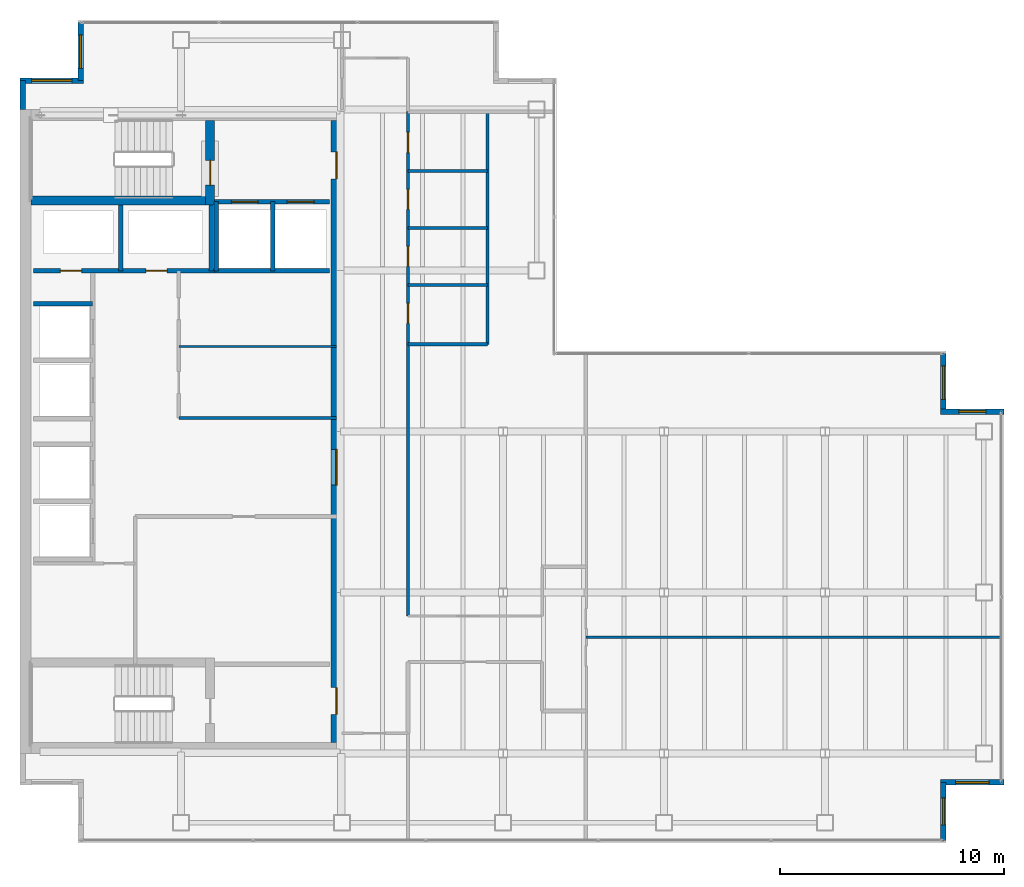
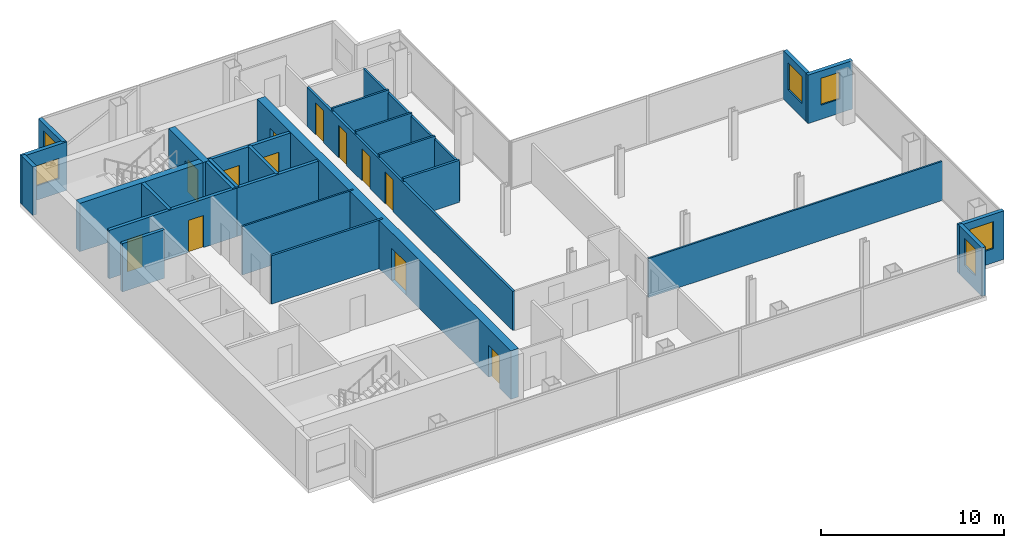
# One storey, part 21 of 23: 27 walls, 12 doors, 6 windows, 18 openings.
"""IFC4 building model written with IfcOpenShell, lengths in metres."""

import ifcopenshell
import ifcopenshell.guid

model = None  # the IFC model being written
_history = None  # IfcOwnerHistory: only IFC2X3 demands one
_inside = {}  # id of a spatial element -> (the spatial element, [elements in it])
_under = {}  # id of a project, library or spatial element -> (it, [spatial elements below it])
_declared = {}  # id of a project -> (the project, [libraries it declares])
_typed = {}  # id of a type object -> (the type object, [elements of that type])
_made_of = {}  # id of a material, layer set ... -> (it, [elements and type objects made of it])


def new_model(schema):
    """Start an empty IFC model of exactly this schema.

    Asked for "IFC4X3", IfcOpenShell would pick the latest addendum, in which some entities
    have other attributes; the version numbers below select the first issue.
    IFC2X3 requires an IfcOwnerHistory on every rooted entity: one is made here for all.
    """
    global model, _history
    if schema == "IFC4X3":
        model = ifcopenshell.file(schema_version=(4, 3, 0, 0))
    else:
        model = ifcopenshell.file(schema=schema)
    _inside.clear()
    _under.clear()
    _declared.clear()
    _typed.clear()
    _made_of.clear()
    _history = None
    if model.schema == "IFC2X3":
        org = make("IfcOrganization", Name="unknown")
        user = make(
            "IfcPersonAndOrganization",
            ThePerson=make("IfcPerson", FamilyName="unknown"),
            TheOrganization=org,
        )
        app = make(
            "IfcApplication",
            ApplicationDeveloper=org,
            Version="unknown",
            ApplicationFullName="unknown",
            ApplicationIdentifier="unknown",
        )
        _history = make(
            "IfcOwnerHistory",
            OwningUser=user,
            OwningApplication=app,
            ChangeAction="ADDED",
            CreationDate=0,
        )
    return model


def make(cls, **values):
    """One entity of the class cls with the attributes given. An attribute that is None is left unset."""
    return model.create_entity(
        cls, **{name: value for name, value in values.items() if value is not None}
    )


def rooted(cls, **values):
    """An entity with a GlobalId (a new one), such as an element, a storey or a relation."""
    return make(cls, GlobalId=ifcopenshell.guid.new(), OwnerHistory=_history, **values)


def si_unit(unit_type, name, prefix=None):
    """IfcSIUnit, for example si_unit("LENGTHUNIT", "METRE", prefix="MILLI")."""
    return make("IfcSIUnit", UnitType=unit_type, Prefix=prefix, Name=name)


def assignment(units):
    """IfcUnitAssignment: the units of a project."""
    return None if units is None else make("IfcUnitAssignment", Units=units)


def point(xyz):
    """IfcCartesianPoint."""
    return None if xyz is None else make("IfcCartesianPoint", Coordinates=xyz)


def direction(xyz):
    """IfcDirection."""
    return None if xyz is None else make("IfcDirection", DirectionRatios=xyz)


def frame(location, z_axis=None, x_axis=None):
    """IfcAxis2Placement3D, a coordinate frame: its origin and axes. An axis left out is left unset."""
    return make(
        "IfcAxis2Placement3D",
        Location=point(location),
        Axis=direction(z_axis),
        RefDirection=direction(x_axis),
    )


def frame_2d(location, x_axis=None):
    """IfcAxis2Placement2D, a coordinate frame in the plane: its origin and x axis."""
    return make(
        "IfcAxis2Placement2D", Location=point(location), RefDirection=direction(x_axis)
    )


def origin():
    """The frame at (0, 0, 0) with its axes left unset."""
    return frame((0.0, 0.0, 0.0))


def place(relative_to, where):
    """IfcLocalPlacement: puts the frame where relative to a parent placement (None: the world)."""
    return make(
        "IfcLocalPlacement", PlacementRelTo=relative_to, RelativePlacement=where
    )


def context(
    kind, dimensions, precision=None, world=None, true_north=None, identifier=None
):
    """IfcGeometricRepresentationContext, for example the 3D "Model" context."""
    return make(
        "IfcGeometricRepresentationContext",
        ContextIdentifier=identifier,
        ContextType=kind,
        CoordinateSpaceDimension=dimensions,
        Precision=precision,
        WorldCoordinateSystem=world,
        TrueNorth=true_north,
    )


def subcontext(parent, identifier, kind, view, scale=None):
    """IfcGeometricRepresentationSubContext, for example "Body" below "Model"."""
    return make(
        "IfcGeometricRepresentationSubContext",
        ContextIdentifier=identifier,
        ContextType=kind,
        ParentContext=parent,
        TargetScale=scale,
        TargetView=view,
    )


def project(units=None, contexts=None):
    """IfcProject with its units and contexts."""
    return rooted(
        "IfcProject",
        Name="project",
        RepresentationContexts=contexts,
        UnitsInContext=assignment(units),
    )


def spatial(cls, under=None, at=None, **own):
    """A site, building, storey or space (cls), placed at a placement, below another one or the project."""
    s = rooted(cls, ObjectPlacement=at, **own)
    if under is not None:
        _under.setdefault(under.id(), (under, []))[1].append(s)
    return s


def profile(cls, at=None, kind="AREA", **sizes):
    """A parametric profile (cls). Its sizes go by their IFC names, for example OverallWidth=200.0."""
    return make(cls, ProfileType=kind, Position=at, **sizes)


def rectangle(**sizes):
    """IfcRectangleProfileDef."""
    return profile("IfcRectangleProfileDef", **sizes)


def extrude(swept, where, along, depth):
    """IfcExtrudedAreaSolid: the profile swept, set in the frame where, extruded along a direction by depth."""
    return make(
        "IfcExtrudedAreaSolid",
        SweptArea=swept,
        Position=where,
        ExtrudedDirection=direction(along),
        Depth=depth,
    )


def shape(context_of_items, identifier, shape_type, items):
    """IfcShapeRepresentation: the items that make up one representation, for example the "Body"."""
    return make(
        "IfcShapeRepresentation",
        ContextOfItems=context_of_items,
        RepresentationIdentifier=identifier,
        RepresentationType=shape_type,
        Items=items,
    )


def material(Name=None, Category=None):
    """IfcMaterial."""
    return make("IfcMaterial", Name=Name, Category=Category)


def layer(
    of_material, thickness, ventilated=None, Name=None, Category=None, Priority=None
):
    """IfcMaterialLayer: one layer of a wall or slab, of a material (None: an air gap)."""
    return make(
        "IfcMaterialLayer",
        Material=of_material,
        LayerThickness=thickness,
        IsVentilated=ventilated,
        Name=Name,
        Category=Category,
        Priority=Priority,
    )


def layer_set(layers, Name=None):
    """IfcMaterialLayerSet."""
    return make("IfcMaterialLayerSet", MaterialLayers=layers, LayerSetName=Name)


def made_of(thing, what):
    """Note that an element or type object is made of a material, layer set ...; save() writes the relation."""
    if what is not None:
        _made_of.setdefault(what.id(), (what, []))[1].append(thing)
    return thing


def type_object(cls, material=None, **own):
    """A type object (cls), such as IfcWallType, which elements share."""
    return made_of(rooted(cls, **own), material)


def element(
    cls,
    number,
    at=None,
    inside=None,
    cuts=None,
    type_object=None,
    material=None,
    context=None,
    identifier="Body",
    shape_type=None,
    held_by="IfcProductDefinitionShape",
    body=None,
    shapes=None,
    **own,
):
    """One element of the class cls, such as IfcWall. Its Tag is "e" and its number.

    at: its placement. inside: the storey or other place that contains it. cuts: it is an
    opening in that element (IfcRelVoidsElement). A single representation is given by context,
    identifier, shape_type and body (its items); several are given by shapes. held_by: the class
    of the entity that holds the representations. save() writes the other relations.
    """
    e = rooted(cls, Tag="e%d" % number, ObjectPlacement=at, **own)
    if body is not None:
        shapes = [shape(context, identifier, shape_type, body)]
    if shapes is not None:
        e.Representation = make(held_by, Representations=shapes)
    if inside is not None:
        _inside.setdefault(inside.id(), (inside, []))[1].append(e)
    if cuts is not None:
        rooted(
            "IfcRelVoidsElement", RelatingBuildingElement=cuts, RelatedOpeningElement=e
        )
    if type_object is not None:
        _typed.setdefault(type_object.id(), (type_object, []))[1].append(e)
    return made_of(e, material)


def fill(opening, filler):
    """IfcRelFillsElement: the door or window that sits in an opening."""
    return rooted(
        "IfcRelFillsElement",
        RelatingOpeningElement=opening,
        RelatedBuildingElement=filler,
    )


def aggregate(whole, parts):
    """IfcRelAggregates: a whole, such as a stair, and the parts it consists of."""
    return rooted("IfcRelAggregates", RelatingObject=whole, RelatedObjects=parts)


def save(model, path):
    """Write the relations noted so far, then the file.

    IfcRelAggregates (storeys below a building ...), IfcRelContainedInSpatialStructure (elements
    in a storey), IfcRelDefinesByType, IfcRelAssociatesMaterial and IfcRelDeclares: one each for
    every whole, place, type object, material and project.
    """
    for whole, parts in _under.values():
        aggregate(whole, parts)
    for where, things in _inside.values():
        rooted(
            "IfcRelContainedInSpatialStructure",
            RelatedElements=things,
            RelatingStructure=where,
        )
    for kind, things in _typed.values():
        rooted("IfcRelDefinesByType", RelatedObjects=things, RelatingType=kind)
    for what, things in _made_of.values():
        rooted("IfcRelAssociatesMaterial", RelatedObjects=things, RelatingMaterial=what)
    for by, libraries in _declared.values():
        rooted("IfcRelDeclares", RelatingContext=by, RelatedDefinitions=libraries)
    model.write(path)


model = new_model("IFC4")

# Units and contexts
model_context = context("Model", 3, precision=1e-05, world=origin(), true_north=direction((0.0, 1.0)))
body_context = subcontext(model_context, "Body", "Model", "MODEL_VIEW")
ifc_project = project(units=[si_unit("LENGTHUNIT", "METRE"), si_unit("AREAUNIT", "SQUARE_METRE"), si_unit("VOLUMEUNIT", "CUBIC_METRE"), si_unit("PLANEANGLEUNIT", "RADIAN"), si_unit("MASSUNIT", "GRAM", prefix="KILO")], contexts=[model_context])

# Site, building, storey
site_placement = place(None, origin())
site = spatial("IfcSite", under=ifc_project, at=site_placement, CompositionType="ELEMENT")
building_placement = place(site_placement, origin())
building = spatial("IfcBuilding", under=site, at=building_placement, Name="Cobrela Telecom Tower", CompositionType="ELEMENT")
storey_placement = place(building_placement, frame((0.0, 0.0, 204.75)))
storey = spatial("IfcBuildingStorey", under=building, at=storey_placement, Name="L52", CompositionType="ELEMENT", Elevation=204.75)

# Wall, openings, doors
ifc_material_1 = material(Name="Concrete C40/50", Category="concrete")
ifc_layer_1 = layer(ifc_material_1, 0.5)
ifc_layer_set_1 = layer_set([ifc_layer_1], Name="Concrete C40/50")
wall_type_1 = type_object("IfcWallType", Name="WALL-CORE-C40-500", PredefinedType="SHEAR", material=ifc_layer_set_1)
wall_1_placement = place(storey_placement, frame((14.14990234375, 35.5, 0.0), z_axis=(0.0, 0.0, 1.0), x_axis=(0.0, -1.0, 0.0)))
wall_1 = element("IfcWall", 1, at=wall_1_placement, inside=storey, type_object=wall_type_1, Name="L52 East Core Shear Wall", PredefinedType="SHEAR", context=body_context, shape_type="SweptSolid", body=[
    extrude(rectangle(XDim=27.800048828125, YDim=0.5, at=frame_2d((13.89990234375, 0.0))), origin(), (0.0, 0.0, 1.0), 3.239990234375),
])
opening_1_placement = place(wall_1_placement, frame((1.39990234375, 0.0, 0.0)))
opening_1 = element("IfcOpeningElement", 2, at=opening_1_placement, cuts=wall_1, Name="Opening DR-19", PredefinedType="OPENING", context=body_context, shape_type="SweptSolid", body=[
    extrude(rectangle(XDim=1.199951171875, YDim=2.14990234375, at=frame_2d((0.60009765625, 1.074951171875))), frame((0.0, 0.261962890625, 0.0), z_axis=(0.0, -1.0, 0.0), x_axis=(1.0, 0.0, 0.0)), (0.0, 0.0, 1.0), 0.52392578125),
])
opening_2_placement = place(wall_1_placement, frame((25.35009765625, 0.0, 0.0)))
opening_2 = element("IfcOpeningElement", 3, at=opening_2_placement, cuts=wall_1, Name="Opening DR-19", PredefinedType="OPENING", context=body_context, shape_type="SweptSolid", body=[
    extrude(rectangle(XDim=1.199951171875, YDim=2.14990234375, at=frame_2d((0.60009765625, 1.074951171875))), frame((0.0, 0.261962890625, 0.0), z_axis=(0.0, -1.0, 0.0), x_axis=(1.0, 0.0, 0.0)), (0.0, 0.0, 1.0), 0.52392578125),
])
opening_3_placement = place(wall_1_placement, frame((14.699951171875, 0.0, 0.0)))
opening_3 = element("IfcOpeningElement", 4, at=opening_3_placement, cuts=wall_1, Name="Opening DR-51", PredefinedType="OPENING", context=body_context, shape_type="SweptSolid", body=[
    extrude(rectangle(XDim=1.60009765625, YDim=2.199951171875, at=frame_2d((0.800048828125, 1.10009765625))), frame((0.0, 0.261962890625, 0.0), z_axis=(0.0, -1.0, 0.0), x_axis=(1.0, 0.0, 0.0)), (0.0, 0.0, 1.0), 0.52392578125),
])
ifc_material_2 = material(Name="Steel ASTM A36", Category="steel")
door_type_1 = type_object("IfcDoorType", Name="DOOR-FD60-1200", OperationType="SINGLE_SWING_LEFT", PredefinedType="DOOR", material=ifc_material_2)
door_1_placement = place(opening_1_placement, origin())
door_1 = element("IfcDoor", 5, at=door_1_placement, inside=storey, type_object=door_type_1, Name="L52 Door DR-19", OperationType="SINGLE_SWING_LEFT", OverallHeight=2.14990234375, OverallWidth=1.199951171875, PredefinedType="DOOR", context=body_context, shape_type="SweptSolid", body=[
    extrude(rectangle(XDim=1.199951171875, YDim=2.14990234375, at=frame_2d((0.60009765625, 1.074951171875))), frame((0.0, 0.02490234375, 0.0), z_axis=(0.0, -1.0, 0.0), x_axis=(1.0, 0.0, 0.0)), (0.0, 0.0, 1.0), 0.050048828125),
])
fill(opening_1, door_1)
door_2_placement = place(opening_2_placement, origin())
door_2 = element("IfcDoor", 6, at=door_2_placement, inside=storey, type_object=door_type_1, Name="L52 Door DR-19", OperationType="SINGLE_SWING_RIGHT", OverallHeight=2.14990234375, OverallWidth=1.199951171875, PredefinedType="DOOR", context=body_context, shape_type="SweptSolid", body=[
    extrude(rectangle(XDim=1.199951171875, YDim=2.14990234375, at=frame_2d((0.60009765625, 1.074951171875))), frame((0.0, 0.02490234375, 0.0), z_axis=(0.0, -1.0, 0.0), x_axis=(1.0, 0.0, 0.0)), (0.0, 0.0, 1.0), 0.050048828125),
])
fill(opening_2, door_2)
door_type_2 = type_object("IfcDoorType", Name="DOOR-FD60-1600", OperationType="SINGLE_SWING_LEFT", PredefinedType="DOOR", material=ifc_material_2)
door_3_placement = place(opening_3_placement, origin())
door_3 = element("IfcDoor", 7, at=door_3_placement, inside=storey, type_object=door_type_2, Name="L52 Door DR-51", OperationType="DOUBLE_DOOR_SINGLE_SWING", OverallHeight=2.199951171875, OverallWidth=1.60009765625, PredefinedType="DOOR", context=body_context, shape_type="SweptSolid", body=[
    extrude(rectangle(XDim=1.60009765625, YDim=2.199951171875, at=frame_2d((0.800048828125, 1.10009765625))), frame((0.0, 0.02490234375, 0.0), z_axis=(0.0, -1.0, 0.0), x_axis=(1.0, 0.0, 0.0)), (0.0, 0.0, 1.0), 0.050048828125),
])
fill(opening_3, door_3)

# Wall
ifc_layer_2 = layer(ifc_material_1, 0.239990234375)
ifc_layer_set_2 = layer_set([ifc_layer_2], Name="Concrete C40/50")
wall_type_2 = type_object("IfcWallType", Name="WALL-EXT-300", PredefinedType="STANDARD", material=ifc_layer_set_2)
wall_2_placement = place(storey_placement, frame((0.1201171875, 36.0, 0.0), z_axis=(0.0, 0.0, 1.0), x_axis=(0.0, 1.0, 0.0)))
element("IfcWall", 8, at=wall_2_placement, inside=storey, type_object=wall_type_2, Name="L52 Insulated Facade Wall 04", PredefinedType="STANDARD", context=body_context, shape_type="SweptSolid", body=[
    extrude(rectangle(XDim=1.2900390625, YDim=0.239990234375, at=frame_2d((0.64501953125, 0.0))), origin(), (0.0, 0.0, 1.0), 3.239990234375),
])

# Wall, opening, window
wall_3_placement = place(storey_placement, frame((0.0, 37.2900390625, 0.0), z_axis=(0.0, 0.0, 1.0), x_axis=(1.0, 0.0, 0.0)))
wall_3 = element("IfcWall", 9, at=wall_3_placement, inside=storey, type_object=wall_type_2, Name="L52 Insulated Facade Wall 05", PredefinedType="STANDARD", context=body_context, shape_type="SweptSolid", body=[
    extrude(rectangle(XDim=2.830078125, YDim=0.239990234375, at=frame_2d((1.4150390625, 0.0))), origin(), (0.0, 0.0, 1.0), 3.239990234375),
])
opening_4_placement = place(wall_3_placement, frame((0.514892578125, 0.0, 0.949951171875)))
opening_4 = element("IfcOpeningElement", 10, at=opening_4_placement, cuts=wall_3, Name="Opening WN-27", PredefinedType="OPENING", context=body_context, shape_type="SweptSolid", body=[
    extrude(rectangle(XDim=1.800048828125, YDim=1.35009765625, at=frame_2d((0.89990234375, 0.675048828125))), frame((0.0, 0.1318359375, 0.0), z_axis=(0.0, -1.0, 0.0), x_axis=(1.0, 0.0, 0.0)), (0.0, 0.0, 1.0), 0.263916015625),
])
ifc_material_3 = material(Name="Solar-Control Bronze Low-E Glass", Category="glass")
window_type_1 = type_object("IfcWindowType", Name="WIN-CLER-1800", PartitioningType="SINGLE_PANEL", PredefinedType="WINDOW", material=ifc_material_3)
window_1_placement = place(opening_4_placement, origin())
window_1 = element("IfcWindow", 11, at=window_1_placement, inside=storey, type_object=window_type_1, Name="L52 Corner Notch Facade Window 251", OverallHeight=1.35009765625, OverallWidth=1.800048828125, PartitioningType="SINGLE_PANEL", PredefinedType="WINDOW", context=body_context, shape_type="SweptSolid", body=[
    extrude(rectangle(XDim=1.800048828125, YDim=1.35009765625, at=frame_2d((0.89990234375, 0.675048828125))), frame((0.0, 0.030029296875, 0.0), z_axis=(0.0, -1.0, 0.0), x_axis=(1.0, 0.0, 0.0)), (0.0, 0.0, 1.0), 0.06005859375),
])
fill(opening_4, window_1)

wall_4_placement = place(storey_placement, frame((2.7099609375, 37.2900390625, 0.0), z_axis=(0.0, 0.0, 1.0), x_axis=(0.0, 1.0, 0.0)))
wall_4 = element("IfcWall", 12, at=wall_4_placement, inside=storey, type_object=wall_type_2, Name="L52 Insulated Facade Wall 06", PredefinedType="STANDARD", context=body_context, shape_type="SweptSolid", body=[
    extrude(rectangle(XDim=2.58984375, YDim=0.239990234375, at=frame_2d((1.294921875, 0.0))), origin(), (0.0, 0.0, 1.0), 3.239990234375),
])
opening_5_placement = place(wall_4_placement, frame((0.544921875, 0.0, 0.949951171875)))
opening_5 = element("IfcOpeningElement", 13, at=opening_5_placement, cuts=wall_4, Name="Opening WN-45", PredefinedType="OPENING", context=body_context, shape_type="SweptSolid", body=[
    extrude(rectangle(XDim=1.5, YDim=1.800048828125, at=frame_2d((0.75, 0.89990234375))), frame((0.0, 0.1318359375, 0.0), z_axis=(0.0, -1.0, 0.0), x_axis=(1.0, 0.0, 0.0)), (0.0, 0.0, 1.0), 0.263916015625),
])
window_type_2 = type_object("IfcWindowType", Name="WIN-MOD-1500", PartitioningType="SINGLE_PANEL", PredefinedType="WINDOW", material=ifc_material_3)
window_2_placement = place(opening_5_placement, origin())
window_2 = element("IfcWindow", 14, at=window_2_placement, inside=storey, type_object=window_type_2, Name="L52 Corner Notch Facade Window 252", OverallHeight=1.800048828125, OverallWidth=1.5, PartitioningType="SINGLE_PANEL", PredefinedType="WINDOW", context=body_context, shape_type="SweptSolid", body=[
    extrude(rectangle(XDim=1.5, YDim=1.800048828125, at=frame_2d((0.75, 0.89990234375))), frame((0.0, 0.030029296875, 0.0), z_axis=(0.0, -1.0, 0.0), x_axis=(1.0, 0.0, 0.0)), (0.0, 0.0, 1.0), 0.06005859375),
])
fill(opening_5, window_2)

wall_5_placement = place(storey_placement, frame((41.2900390625, 25.080078125, 0.0), z_axis=(0.0, 0.0, 1.0), x_axis=(0.0, -1.0, 0.0)))
wall_5 = element("IfcWall", 15, at=wall_5_placement, inside=storey, type_object=wall_type_2, Name="L52 Insulated Facade Wall 12", PredefinedType="STANDARD", context=body_context, shape_type="SweptSolid", body=[
    extrude(rectangle(XDim=2.590087890625, YDim=0.239990234375, at=frame_2d((1.294921875, 0.0))), origin(), (0.0, 0.0, 1.0), 3.239990234375),
])
opening_6_placement = place(wall_5_placement, frame((0.544921875, 0.0, 0.949951171875)))
opening_6 = element("IfcOpeningElement", 16, at=opening_6_placement, cuts=wall_5, Name="Opening WN-45", PredefinedType="OPENING", context=body_context, shape_type="SweptSolid", body=[
    extrude(rectangle(XDim=1.5, YDim=1.800048828125, at=frame_2d((0.75, 0.89990234375))), frame((0.0, 0.1318359375, 0.0), z_axis=(0.0, -1.0, 0.0), x_axis=(1.0, 0.0, 0.0)), (0.0, 0.0, 1.0), 0.263916015625),
])
window_3_placement = place(opening_6_placement, origin())
window_3 = element("IfcWindow", 17, at=window_3_placement, inside=storey, type_object=window_type_2, Name="L52 Corner Notch Facade Window 255", OverallHeight=1.800048828125, OverallWidth=1.5, PartitioningType="SINGLE_PANEL", PredefinedType="WINDOW", context=body_context, shape_type="SweptSolid", body=[
    extrude(rectangle(XDim=1.5, YDim=1.800048828125, at=frame_2d((0.75, 0.89990234375))), frame((0.0, 0.030029296875, 0.0), z_axis=(0.0, -1.0, 0.0), x_axis=(1.0, 0.0, 0.0)), (0.0, 0.0, 1.0), 0.06005859375),
])
fill(opening_6, window_3)

wall_6_placement = place(storey_placement, frame((41.169921875, 22.489990234375, 0.0), z_axis=(0.0, 0.0, 1.0), x_axis=(1.0, 0.0, 0.0)))
wall_6 = element("IfcWall", 18, at=wall_6_placement, inside=storey, type_object=wall_type_2, Name="L52 Insulated Facade Wall 13", PredefinedType="STANDARD", context=body_context, shape_type="SweptSolid", body=[
    extrude(rectangle(XDim=2.830078125, YDim=0.239990234375, at=frame_2d((1.4150390625, 0.0))), origin(), (0.0, 0.0, 1.0), 3.239990234375),
])
opening_7_placement = place(wall_6_placement, frame((0.81494140625, 0.0, 0.949951171875)))
opening_7 = element("IfcOpeningElement", 19, at=opening_7_placement, cuts=wall_6, Name="Opening WN-19", PredefinedType="OPENING", context=body_context, shape_type="SweptSolid", body=[
    extrude(rectangle(XDim=1.199951171875, YDim=1.800048828125, at=frame_2d((0.60009765625, 0.89990234375))), frame((0.0, 0.1318359375, 0.0), z_axis=(0.0, -1.0, 0.0), x_axis=(1.0, 0.0, 0.0)), (0.0, 0.0, 1.0), 0.263916015625),
])
window_type_3 = type_object("IfcWindowType", Name="WIN-MOD-1200", PartitioningType="SINGLE_PANEL", PredefinedType="WINDOW", material=ifc_material_3)
window_4_placement = place(opening_7_placement, origin())
window_4 = element("IfcWindow", 20, at=window_4_placement, inside=storey, type_object=window_type_3, Name="L52 Corner Notch Facade Window 256", OverallHeight=1.800048828125, OverallWidth=1.199951171875, PartitioningType="SINGLE_PANEL", PredefinedType="WINDOW", context=body_context, shape_type="SweptSolid", body=[
    extrude(rectangle(XDim=1.199951171875, YDim=1.800048828125, at=frame_2d((0.60009765625, 0.89990234375))), frame((0.0, 0.030029296875, 0.0), z_axis=(0.0, -1.0, 0.0), x_axis=(1.0, 0.0, 0.0)), (0.0, 0.0, 1.0), 0.06005859375),
])
fill(opening_7, window_4)

wall_7_placement = place(storey_placement, frame((44.0, 5.909912109375, 0.0), z_axis=(0.0, 0.0, 1.0), x_axis=(-1.0, 0.0, 0.0)))
wall_7 = element("IfcWall", 21, at=wall_7_placement, inside=storey, type_object=wall_type_2, Name="L52 Insulated Facade Wall 15", PredefinedType="STANDARD", context=body_context, shape_type="SweptSolid", body=[
    extrude(rectangle(XDim=2.830078125, YDim=0.239990234375, at=frame_2d((1.4150390625, 0.0))), origin(), (0.0, 0.0, 1.0), 3.239990234375),
])
opening_8_placement = place(wall_7_placement, frame((0.6650390625, 0.0, 0.949951171875)))
opening_8 = element("IfcOpeningElement", 22, at=opening_8_placement, cuts=wall_7, Name="Opening WN-45", PredefinedType="OPENING", context=body_context, shape_type="SweptSolid", body=[
    extrude(rectangle(XDim=1.5, YDim=1.800048828125, at=frame_2d((0.75, 0.89990234375))), frame((0.0, 0.1318359375, 0.0), z_axis=(0.0, -1.0, 0.0), x_axis=(1.0, 0.0, 0.0)), (0.0, 0.0, 1.0), 0.263916015625),
])
window_5_placement = place(opening_8_placement, origin())
window_5 = element("IfcWindow", 23, at=window_5_placement, inside=storey, type_object=window_type_2, Name="L52 Corner Notch Facade Window 257", OverallHeight=1.800048828125, OverallWidth=1.5, PartitioningType="SINGLE_PANEL", PredefinedType="WINDOW", context=body_context, shape_type="SweptSolid", body=[
    extrude(rectangle(XDim=1.5, YDim=1.800048828125, at=frame_2d((0.75, 0.89990234375))), frame((0.0, 0.030029296875, 0.0), z_axis=(0.0, -1.0, 0.0), x_axis=(1.0, 0.0, 0.0)), (0.0, 0.0, 1.0), 0.06005859375),
])
fill(opening_8, window_5)

wall_8_placement = place(storey_placement, frame((41.2900390625, 5.909912109375, 0.0), z_axis=(0.0, 0.0, 1.0), x_axis=(0.0, -1.0, 0.0)))
wall_8 = element("IfcWall", 24, at=wall_8_placement, inside=storey, type_object=wall_type_2, Name="L52 Insulated Facade Wall 16", PredefinedType="STANDARD", context=body_context, shape_type="SweptSolid", body=[
    extrude(rectangle(XDim=2.58984375, YDim=0.239990234375, at=frame_2d((1.294921875, 0.0))), origin(), (0.0, 0.0, 1.0), 3.239990234375),
])
opening_9_placement = place(wall_8_placement, frame((0.695068359375, 0.0, 0.949951171875)))
opening_9 = element("IfcOpeningElement", 25, at=opening_9_placement, cuts=wall_8, Name="Opening WN-19", PredefinedType="OPENING", context=body_context, shape_type="SweptSolid", body=[
    extrude(rectangle(XDim=1.199951171875, YDim=1.800048828125, at=frame_2d((0.60009765625, 0.89990234375))), frame((0.0, 0.1318359375, 0.0), z_axis=(0.0, -1.0, 0.0), x_axis=(1.0, 0.0, 0.0)), (0.0, 0.0, 1.0), 0.263916015625),
])
window_6_placement = place(opening_9_placement, origin())
window_6 = element("IfcWindow", 26, at=window_6_placement, inside=storey, type_object=window_type_3, Name="L52 Corner Notch Facade Window 258", OverallHeight=1.800048828125, OverallWidth=1.199951171875, PartitioningType="SINGLE_PANEL", PredefinedType="WINDOW", context=body_context, shape_type="SweptSolid", body=[
    extrude(rectangle(XDim=1.199951171875, YDim=1.800048828125, at=frame_2d((0.60009765625, 0.89990234375))), frame((0.0, 0.030029296875, 0.0), z_axis=(0.0, -1.0, 0.0), x_axis=(1.0, 0.0, 0.0)), (0.0, 0.0, 1.0), 0.06005859375),
])
fill(opening_9, window_6)

# Walls
ifc_material_4 = material(Name="Fire-Rated Gypsum Plasterboard")
ifc_layer_3 = layer(ifc_material_4, 0.110107421875)
ifc_layer_set_3 = layer_set([ifc_layer_3], Name="Fire-Rated Gypsum Plasterboard")
wall_type_3 = type_object("IfcWallType", Name="WALL-PART-110", PredefinedType="PARTITIONING", material=ifc_layer_set_3)
wall_9_placement = place(storey_placement, frame((7.10009765625, 25.39990234375, 0.0), z_axis=(0.0, 0.0, 1.0), x_axis=(1.0, 0.0, 0.0)))
element("IfcWall", 27, at=wall_9_placement, inside=storey, type_object=wall_type_3, Name="L52 Interior Partition CW-RECL-H", PredefinedType="PARTITIONING", context=body_context, shape_type="SweptSolid", body=[
    extrude(rectangle(XDim=7.0498046875, YDim=0.110107421875, at=frame_2d((3.52490234375, 0.0))), origin(), (0.0, 0.0, 1.0), 3.239990234375),
])
wall_10_placement = place(storey_placement, frame((25.300048828125, 12.39990234375, 0.0), z_axis=(0.0, 0.0, 1.0), x_axis=(1.0, 0.0, 0.0)))
element("IfcWall", 28, at=wall_10_placement, inside=storey, type_object=wall_type_3, Name="L52 Interior Partition W-FE-H", PredefinedType="PARTITIONING", context=body_context, shape_type="SweptSolid", body=[
    extrude(rectangle(XDim=18.579833984375, YDim=0.110107421875, at=frame_2d((9.2900390625, 0.0))), origin(), (0.0, 0.0, 1.0), 2.613037109375),
])
ifc_layer_4 = layer(ifc_material_4, 0.125)
ifc_layer_set_4 = layer_set([ifc_layer_4], Name="Fire-Rated Gypsum Plasterboard")
wall_type_4 = type_object("IfcWallType", Name="WALL-PART-125", PredefinedType="PARTITIONING", material=ifc_layer_set_4)
for number, where, z_axis, x_axis, name in (
    (29, (17.35009765625, 28.14990234375, 0.0), (0.0, 0.0, 1.0), (1.0, 0.0, 0.0), "L52 Interior Partition W-WCD-1"),
    (30, (17.35009765625, 30.699951171875, 0.0), (0.0, 0.0, 1.0), (1.0, 0.0, 0.0), "L52 Interior Partition W-WCD-2"),
    (31, (17.35009765625, 33.25, 0.0), (0.0, 0.0, 1.0), (1.0, 0.0, 0.0), "L52 Interior Partition W-WCD-3"),
):
    element("IfcWall", number, at=place(storey_placement, frame(where, z_axis=z_axis, x_axis=x_axis)), inside=storey, type_object=wall_type_4, Name=name, PredefinedType="PARTITIONING", context=body_context, shape_type="SweptSolid", body=[
        extrude(rectangle(XDim=3.5498046875, YDim=0.125, at=frame_2d((1.77490234375, 0.0))), origin(), (0.0, 0.0, 1.0), 2.80810546875),
    ])
ifc_layer_5 = layer(ifc_material_4, 0.135009765625)
ifc_layer_set_5 = layer_set([ifc_layer_5], Name="Fire-Rated Gypsum Plasterboard")
wall_type_5 = type_object("IfcWallType", Name="WALL-PART-135", PredefinedType="PARTITIONING", material=ifc_layer_set_5)
wall_11_placement = place(storey_placement, frame((7.10009765625, 22.199951171875, 0.0), z_axis=(0.0, 0.0, 1.0), x_axis=(1.0, 0.0, 0.0)))
element("IfcWall", 32, at=wall_11_placement, inside=storey, type_object=wall_type_5, Name="L52 Interior Partition CW-RECL-S", PredefinedType="PARTITIONING", context=body_context, shape_type="SweptSolid", body=[
    extrude(rectangle(XDim=7.0498046875, YDim=0.135009765625, at=frame_2d((3.52490234375, 0.0))), origin(), (0.0, 0.0, 1.0), 3.239990234375),
])
wall_12_placement = place(storey_placement, frame((20.89990234375, 25.5, 0.0), z_axis=(0.0, 0.0, 1.0), x_axis=(0.0, 1.0, 0.0)))
element("IfcWall", 33, at=wall_12_placement, inside=storey, type_object=wall_type_5, Name="L52 Interior Partition W-WC-E", PredefinedType="PARTITIONING", context=body_context, shape_type="SweptSolid", body=[
    extrude(rectangle(XDim=10.39990234375, YDim=0.135009765625, at=frame_2d((5.199951171875, 0.0))), origin(), (0.0, 0.0, 1.0), 2.613037109375),
])

# Wall, openings, doors
ifc_layer_6 = layer(ifc_material_4, 0.14990234375)
ifc_layer_set_6 = layer_set([ifc_layer_6], Name="Fire-Rated Gypsum Plasterboard")
wall_type_6 = type_object("IfcWallType", Name="WALL-PART-150", PredefinedType="PARTITIONING", material=ifc_layer_set_6)
wall_13_placement = place(storey_placement, frame((17.35009765625, 13.35009765625, 0.0), z_axis=(0.0, 0.0, 1.0), x_axis=(0.0, 1.0, 0.0)))
wall_13 = element("IfcWall", 34, at=wall_13_placement, inside=storey, type_object=wall_type_6, Name="L52 Interior Partition W-C-E2", PredefinedType="PARTITIONING", context=body_context, shape_type="SweptSolid", body=[
    extrude(rectangle(XDim=22.5498046875, YDim=0.14990234375, at=frame_2d((11.27490234375, 0.0))), origin(), (0.0, 0.0, 1.0), 2.613037109375),
])
opening_10_placement = place(wall_13_placement, frame((13.080078125, 0.0, 0.0)))
opening_10 = element("IfcOpeningElement", 35, at=opening_10_placement, cuts=wall_13, Name="Opening DR-41", PredefinedType="OPENING", context=body_context, shape_type="SweptSolid", body=[
    extrude(rectangle(XDim=0.89990234375, YDim=2.14990234375, at=frame_2d((0.449951171875, 1.074951171875))), frame((0.0, 0.0869140625, 0.0), z_axis=(0.0, -1.0, 0.0), x_axis=(1.0, 0.0, 0.0)), (0.0, 0.0, 1.0), 0.173828125),
])
opening_11_placement = place(wall_13_placement, frame((15.6298828125, 0.0, 0.0)))
opening_11 = element("IfcOpeningElement", 36, at=opening_11_placement, cuts=wall_13, Name="Opening DR-41", PredefinedType="OPENING", context=body_context, shape_type="SweptSolid", body=[
    extrude(rectangle(XDim=0.89990234375, YDim=2.14990234375, at=frame_2d((0.449951171875, 1.074951171875))), frame((0.0, 0.0869140625, 0.0), z_axis=(0.0, -1.0, 0.0), x_axis=(1.0, 0.0, 0.0)), (0.0, 0.0, 1.0), 0.173828125),
])
opening_12_placement = place(wall_13_placement, frame((18.179931640625, 0.0, 0.0)))
opening_12 = element("IfcOpeningElement", 37, at=opening_12_placement, cuts=wall_13, Name="Opening DR-41", PredefinedType="OPENING", context=body_context, shape_type="SweptSolid", body=[
    extrude(rectangle(XDim=0.89990234375, YDim=2.14990234375, at=frame_2d((0.449951171875, 1.074951171875))), frame((0.0, 0.0869140625, 0.0), z_axis=(0.0, -1.0, 0.0), x_axis=(1.0, 0.0, 0.0)), (0.0, 0.0, 1.0), 0.173828125),
])
opening_13_placement = place(wall_13_placement, frame((20.719970703125, 0.0, 0.0)))
opening_13 = element("IfcOpeningElement", 38, at=opening_13_placement, cuts=wall_13, Name="Opening DR-41", PredefinedType="OPENING", context=body_context, shape_type="SweptSolid", body=[
    extrude(rectangle(XDim=0.89990234375, YDim=2.14990234375, at=frame_2d((0.449951171875, 1.074951171875))), frame((0.0, 0.0869140625, 0.0), z_axis=(0.0, -1.0, 0.0), x_axis=(1.0, 0.0, 0.0)), (0.0, 0.0, 1.0), 0.173828125),
])
ifc_material_5 = material(Name="Solid Engineered Oak Timber", Category="wood")
door_type_3 = type_object("IfcDoorType", Name="DOOR-INT-900", OperationType="SINGLE_SWING_LEFT", PredefinedType="DOOR", material=ifc_material_5)
door_4_placement = place(opening_10_placement, origin())
door_4 = element("IfcDoor", 39, at=door_4_placement, inside=storey, type_object=door_type_3, Name="L52 Door DR-41", OperationType="SINGLE_SWING_LEFT", OverallHeight=2.14990234375, OverallWidth=0.89990234375, PredefinedType="DOOR", context=body_context, shape_type="SweptSolid", body=[
    extrude(rectangle(XDim=0.89990234375, YDim=2.14990234375, at=frame_2d((0.449951171875, 1.074951171875))), frame((0.0, 0.02490234375, 0.0), z_axis=(0.0, -1.0, 0.0), x_axis=(1.0, 0.0, 0.0)), (0.0, 0.0, 1.0), 0.050048828125),
])
fill(opening_10, door_4)
door_5_placement = place(opening_11_placement, origin())
door_5 = element("IfcDoor", 40, at=door_5_placement, inside=storey, type_object=door_type_3, Name="L52 Door DR-41", OperationType="SINGLE_SWING_RIGHT", OverallHeight=2.14990234375, OverallWidth=0.89990234375, PredefinedType="DOOR", context=body_context, shape_type="SweptSolid", body=[
    extrude(rectangle(XDim=0.89990234375, YDim=2.14990234375, at=frame_2d((0.449951171875, 1.074951171875))), frame((0.0, 0.02490234375, 0.0), z_axis=(0.0, -1.0, 0.0), x_axis=(1.0, 0.0, 0.0)), (0.0, 0.0, 1.0), 0.050048828125),
])
fill(opening_11, door_5)
door_6_placement = place(opening_12_placement, origin())
door_6 = element("IfcDoor", 41, at=door_6_placement, inside=storey, type_object=door_type_3, Name="L52 Door DR-41", OperationType="SINGLE_SWING_LEFT", OverallHeight=2.14990234375, OverallWidth=0.89990234375, PredefinedType="DOOR", context=body_context, shape_type="SweptSolid", body=[
    extrude(rectangle(XDim=0.89990234375, YDim=2.14990234375, at=frame_2d((0.449951171875, 1.074951171875))), frame((0.0, 0.02490234375, 0.0), z_axis=(0.0, -1.0, 0.0), x_axis=(1.0, 0.0, 0.0)), (0.0, 0.0, 1.0), 0.050048828125),
])
fill(opening_12, door_6)
door_7_placement = place(opening_13_placement, origin())
door_7 = element("IfcDoor", 42, at=door_7_placement, inside=storey, type_object=door_type_3, Name="L52 Door DR-41", OperationType="SINGLE_SWING_RIGHT", OverallHeight=2.14990234375, OverallWidth=0.89990234375, PredefinedType="DOOR", context=body_context, shape_type="SweptSolid", body=[
    extrude(rectangle(XDim=0.89990234375, YDim=2.14990234375, at=frame_2d((0.449951171875, 1.074951171875))), frame((0.0, 0.02490234375, 0.0), z_axis=(0.0, -1.0, 0.0), x_axis=(1.0, 0.0, 0.0)), (0.0, 0.0, 1.0), 0.050048828125),
])
fill(opening_13, door_7)

# Wall
wall_14_placement = place(storey_placement, frame((17.35009765625, 25.5, 0.0), z_axis=(0.0, 0.0, 1.0), x_axis=(1.0, 0.0, 0.0)))
element("IfcWall", 43, at=wall_14_placement, inside=storey, type_object=wall_type_6, Name="L52 Interior Partition W-WC-S", PredefinedType="PARTITIONING", context=body_context, shape_type="SweptSolid", body=[
    extrude(rectangle(XDim=3.5498046875, YDim=0.14990234375, at=frame_2d((1.77490234375, 0.0))), origin(), (0.0, 0.0, 1.0), 2.80810546875),
])

# Wall, openings, doors
ifc_layer_7 = layer(ifc_material_4, 0.199951171875)
ifc_layer_set_7 = layer_set([ifc_layer_7], Name="Fire-Rated Gypsum Plasterboard")
wall_type_7 = type_object("IfcWallType", Name="WALL-SHAFT-200", PredefinedType="PARTITIONING", material=ifc_layer_set_7)
wall_15_placement = place(storey_placement, frame((8.699951171875, 31.8798828125, 0.0), z_axis=(0.0, 0.0, 1.0), x_axis=(1.0, 0.0, 0.0)))
wall_15 = element("IfcWall", 44, at=wall_15_placement, inside=storey, type_object=wall_type_7, Name="L52 Shaft Enclosure CW-FFL-S", PredefinedType="PARTITIONING", context=body_context, shape_type="SweptSolid", body=[
    extrude(rectangle(XDim=5.150146484375, YDim=0.199951171875, at=frame_2d((2.5751953125, 0.0))), origin(), (0.0, 0.0, 1.0), 3.239990234375),
])
opening_14_placement = place(wall_15_placement, frame((0.75, 0.0, 0.0)))
opening_14 = element("IfcOpeningElement", 45, at=opening_14_placement, cuts=wall_15, Name="Opening LD-2", PredefinedType="OPENING", context=body_context, shape_type="SweptSolid", body=[
    extrude(rectangle(XDim=1.199951171875, YDim=2.199951171875, at=frame_2d((0.60009765625, 1.10009765625))), frame((0.0, 0.11181640625, 0.0), z_axis=(0.0, -1.0, 0.0), x_axis=(1.0, 0.0, 0.0)), (0.0, 0.0, 1.0), 0.223876953125),
])
opening_15_placement = place(wall_15_placement, frame((3.25, 0.0, 0.0)))
opening_15 = element("IfcOpeningElement", 46, at=opening_15_placement, cuts=wall_15, Name="Opening LD-2", PredefinedType="OPENING", context=body_context, shape_type="SweptSolid", body=[
    extrude(rectangle(XDim=1.199951171875, YDim=2.199951171875, at=frame_2d((0.60009765625, 1.10009765625))), frame((0.0, 0.11181640625, 0.0), z_axis=(0.0, -1.0, 0.0), x_axis=(1.0, 0.0, 0.0)), (0.0, 0.0, 1.0), 0.223876953125),
])
door_type_4 = type_object("IfcDoorType", Name="DOOR-LD-FFL", OperationType="SINGLE_SWING_LEFT", PredefinedType="DOOR", material=ifc_material_2)
door_8_placement = place(opening_14_placement, origin())
door_8 = element("IfcDoor", 47, at=door_8_placement, inside=storey, type_object=door_type_4, Name="L52 Lift Landing Door LD-2", OperationType="DOUBLE_DOOR_SLIDING", OverallHeight=2.199951171875, OverallWidth=1.199951171875, PredefinedType="DOOR", context=body_context, shape_type="SweptSolid", body=[
    extrude(rectangle(XDim=1.199951171875, YDim=2.199951171875, at=frame_2d((0.60009765625, 1.10009765625))), frame((0.0, 0.02490234375, 0.0), z_axis=(0.0, -1.0, 0.0), x_axis=(1.0, 0.0, 0.0)), (0.0, 0.0, 1.0), 0.050048828125),
])
fill(opening_14, door_8)
door_9_placement = place(opening_15_placement, origin())
door_9 = element("IfcDoor", 48, at=door_9_placement, inside=storey, type_object=door_type_4, Name="L52 Lift Landing Door LD-2", OperationType="DOUBLE_DOOR_SLIDING", OverallHeight=2.199951171875, OverallWidth=1.199951171875, PredefinedType="DOOR", context=body_context, shape_type="SweptSolid", body=[
    extrude(rectangle(XDim=1.199951171875, YDim=2.199951171875, at=frame_2d((0.60009765625, 1.10009765625))), frame((0.0, 0.02490234375, 0.0), z_axis=(0.0, -1.0, 0.0), x_axis=(1.0, 0.0, 0.0)), (0.0, 0.0, 1.0), 0.050048828125),
])
fill(opening_15, door_9)

# Walls
wall_16_placement = place(storey_placement, frame((8.699951171875, 28.780029296875, 0.0), z_axis=(0.0, 0.0, 1.0), x_axis=(1.0, 0.0, 0.0)))
element("IfcWall", 49, at=wall_16_placement, inside=storey, type_object=wall_type_7, Name="L52 Shaft Enclosure CW-FFL-S2", PredefinedType="PARTITIONING", context=body_context, shape_type="SweptSolid", body=[
    extrude(rectangle(XDim=5.150146484375, YDim=0.199951171875, at=frame_2d((2.5751953125, 0.0))), origin(), (0.0, 0.0, 1.0), 3.239990234375),
])
for number, where, z_axis, x_axis, name in (
    (50, (8.780029296875, 28.780029296875, 0.0), (0.0, 0.0, 1.0), (0.0, 1.0, 0.0), "L52 Shaft Enclosure CW-FFL-W"),
    (51, (11.300048828125, 28.780029296875, 0.0), (0.0, 0.0, 1.0), (0.0, 1.0, 0.0), "L52 Shaft Enclosure CW-FFL-M"),
):
    element("IfcWall", number, at=place(storey_placement, frame(where, z_axis=z_axis, x_axis=x_axis)), inside=storey, type_object=wall_type_7, Name=name, PredefinedType="PARTITIONING", context=body_context, shape_type="SweptSolid", body=[
        extrude(rectangle(XDim=3.099853515625, YDim=0.199951171875, at=frame_2d((1.5498046875, 0.0))), origin(), (0.0, 0.0, 1.0), 3.239990234375),
    ])

# Wall, openings, doors
wall_17_placement = place(storey_placement, frame((0.60009765625, 28.780029296875, 0.0), z_axis=(0.0, 0.0, 1.0), x_axis=(1.0, 0.0, 0.0)))
wall_17 = element("IfcWall", 52, at=wall_17_placement, inside=storey, type_object=wall_type_7, Name="L52 Shaft Enclosure CW-RIS-S", PredefinedType="PARTITIONING", context=body_context, shape_type="SweptSolid", body=[
    extrude(rectangle(XDim=8.179931640625, YDim=0.199951171875, at=frame_2d((4.08984375, 0.0))), origin(), (0.0, 0.0, 1.0), 3.239990234375),
])
opening_16_placement = place(wall_17_placement, frame((1.2099609375, 0.0, 0.0)))
opening_16 = element("IfcOpeningElement", 53, at=opening_16_placement, cuts=wall_17, Name="Opening DR-65", PredefinedType="OPENING", context=body_context, shape_type="SweptSolid", body=[
    extrude(rectangle(XDim=0.949951171875, YDim=2.14990234375, at=frame_2d((0.47509765625, 1.074951171875))), frame((0.0, 0.11181640625, 0.0), z_axis=(0.0, -1.0, 0.0), x_axis=(1.0, 0.0, 0.0)), (0.0, 0.0, 1.0), 0.223876953125),
])
opening_17_placement = place(wall_17_placement, frame((5.030029296875, 0.0, 0.0)))
opening_17 = element("IfcOpeningElement", 54, at=opening_17_placement, cuts=wall_17, Name="Opening DR-65", PredefinedType="OPENING", context=body_context, shape_type="SweptSolid", body=[
    extrude(rectangle(XDim=0.949951171875, YDim=2.14990234375, at=frame_2d((0.47509765625, 1.074951171875))), frame((0.0, 0.11181640625, 0.0), z_axis=(0.0, -1.0, 0.0), x_axis=(1.0, 0.0, 0.0)), (0.0, 0.0, 1.0), 0.223876953125),
])
door_type_5 = type_object("IfcDoorType", Name="DOOR-FD60-950", OperationType="SINGLE_SWING_LEFT", PredefinedType="DOOR", material=ifc_material_2)
door_10_placement = place(opening_16_placement, origin())
door_10 = element("IfcDoor", 55, at=door_10_placement, inside=storey, type_object=door_type_5, Name="L52 Door DR-65", OperationType="SINGLE_SWING_LEFT", OverallHeight=2.14990234375, OverallWidth=0.949951171875, PredefinedType="DOOR", context=body_context, shape_type="SweptSolid", body=[
    extrude(rectangle(XDim=0.949951171875, YDim=2.14990234375, at=frame_2d((0.47509765625, 1.074951171875))), frame((0.0, 0.02490234375, 0.0), z_axis=(0.0, -1.0, 0.0), x_axis=(1.0, 0.0, 0.0)), (0.0, 0.0, 1.0), 0.050048828125),
])
fill(opening_16, door_10)
door_11_placement = place(opening_17_placement, origin())
door_11 = element("IfcDoor", 56, at=door_11_placement, inside=storey, type_object=door_type_5, Name="L52 Door DR-65", OperationType="SINGLE_SWING_RIGHT", OverallHeight=2.14990234375, OverallWidth=0.949951171875, PredefinedType="DOOR", context=body_context, shape_type="SweptSolid", body=[
    extrude(rectangle(XDim=0.949951171875, YDim=2.14990234375, at=frame_2d((0.47509765625, 1.074951171875))), frame((0.0, 0.02490234375, 0.0), z_axis=(0.0, -1.0, 0.0), x_axis=(1.0, 0.0, 0.0)), (0.0, 0.0, 1.0), 0.050048828125),
])
fill(opening_17, door_11)

# Walls
for number, where, z_axis, x_axis, name in (
    (57, (4.5, 28.780029296875, 0.0), (0.0, 0.0, 1.0), (0.0, 1.0, 0.0), "L52 Shaft Enclosure CW-RIS-M"),
    (58, (8.550048828125, 28.780029296875, 0.0), (0.0, 0.0, 1.0), (0.0, 1.0, 0.0), "L52 Shaft Enclosure CW-RIS-E"),
):
    element("IfcWall", number, at=place(storey_placement, frame(where, z_axis=z_axis, x_axis=x_axis)), inside=storey, type_object=wall_type_7, Name=name, PredefinedType="PARTITIONING", context=body_context, shape_type="SweptSolid", body=[
        extrude(rectangle(XDim=2.93994140625, YDim=0.199951171875, at=frame_2d((1.469970703125, 0.0))), origin(), (0.0, 0.0, 1.0), 3.239990234375),
    ])
wall_18_placement = place(storey_placement, frame((0.60009765625, 27.320068359375, 0.0), z_axis=(0.0, 0.0, 1.0), x_axis=(1.0, 0.0, 0.0)))
element("IfcWall", 59, at=wall_18_placement, inside=storey, type_object=wall_type_7, Name="L52 Shaft Enclosure CW-PLH-TOP", PredefinedType="PARTITIONING", context=body_context, shape_type="SweptSolid", body=[
    extrude(rectangle(XDim=2.64990234375, YDim=0.199951171875, at=frame_2d((1.324951171875, 0.0))), origin(), (0.0, 0.0, 1.0), 3.239990234375),
])
ifc_layer_8 = layer(ifc_material_1, 0.39990234375)
ifc_layer_set_8 = layer_set([ifc_layer_8], Name="Concrete C40/50")
wall_type_8 = type_object("IfcWallType", Name="WALL-SHAFT-C40-400", PredefinedType="SHEAR", material=ifc_layer_set_8)
wall_19_placement = place(storey_placement, frame((0.5, 31.919921875, 0.0), z_axis=(0.0, 0.0, 1.0), x_axis=(1.0, 0.0, 0.0)))
element("IfcWall", 60, at=wall_19_placement, inside=storey, type_object=wall_type_8, Name="L52 North Stair Shear Wall", PredefinedType="SHEAR", context=body_context, shape_type="SweptSolid", body=[
    extrude(rectangle(XDim=7.800048828125, YDim=0.39990234375, at=frame_2d((3.89990234375, 0.0))), origin(), (0.0, 0.0, 1.0), 3.239990234375),
])

# Wall, opening, door
wall_20_placement = place(storey_placement, frame((8.5, 31.719970703125, 0.0), z_axis=(0.0, 0.0, 1.0), x_axis=(0.0, 1.0, 0.0)))
wall_20 = element("IfcWall", 61, at=wall_20_placement, inside=storey, type_object=wall_type_8, Name="L52 North Stair Lobby Shear Wall", PredefinedType="SHEAR", context=body_context, shape_type="SweptSolid", body=[
    extrude(rectangle(XDim=3.780029296875, YDim=0.39990234375, at=frame_2d((1.89013671875, 0.0))), origin(), (0.0, 0.0, 1.0), 3.239990234375),
])
opening_18_placement = place(wall_20_placement, frame((0.89990234375, 0.0, 0.0)))
opening_18 = element("IfcOpeningElement", 62, at=opening_18_placement, cuts=wall_20, Name="Opening DR-59", PredefinedType="OPENING", context=body_context, shape_type="SweptSolid", body=[
    extrude(rectangle(XDim=1.10009765625, YDim=2.14990234375, at=frame_2d((0.550048828125, 1.074951171875))), frame((0.0, 0.2119140625, 0.0), z_axis=(0.0, -1.0, 0.0), x_axis=(1.0, 0.0, 0.0)), (0.0, 0.0, 1.0), 0.423828125),
])
door_type_6 = type_object("IfcDoorType", Name="DOOR-FD60-1100", OperationType="SINGLE_SWING_LEFT", PredefinedType="DOOR", material=ifc_material_2)
door_12_placement = place(opening_18_placement, origin())
door_12 = element("IfcDoor", 63, at=door_12_placement, inside=storey, type_object=door_type_6, Name="L52 Door DR-59", OperationType="SINGLE_SWING_RIGHT", OverallHeight=2.14990234375, OverallWidth=1.10009765625, PredefinedType="DOOR", context=body_context, shape_type="SweptSolid", body=[
    extrude(rectangle(XDim=1.10009765625, YDim=2.14990234375, at=frame_2d((0.550048828125, 1.074951171875))), frame((0.0, 0.02490234375, 0.0), z_axis=(0.0, -1.0, 0.0), x_axis=(1.0, 0.0, 0.0)), (0.0, 0.0, 1.0), 0.050048828125),
])
fill(opening_18, door_12)

save(model, "model.ifc")
